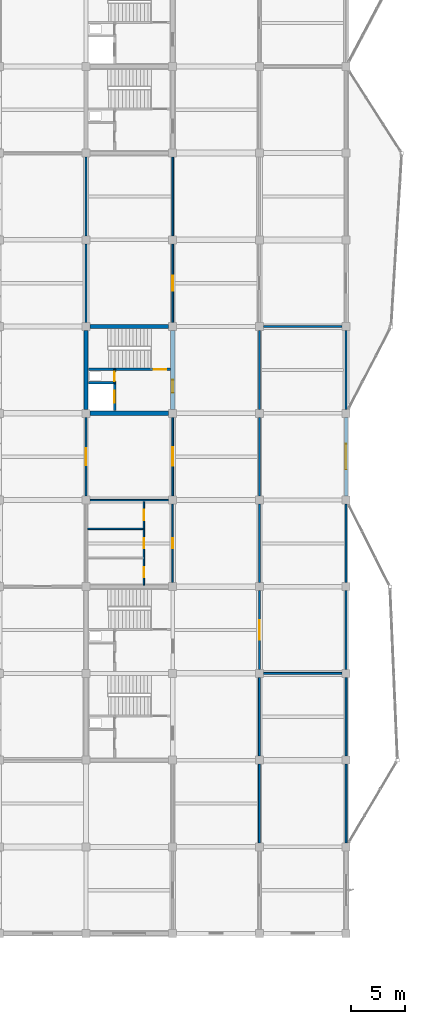
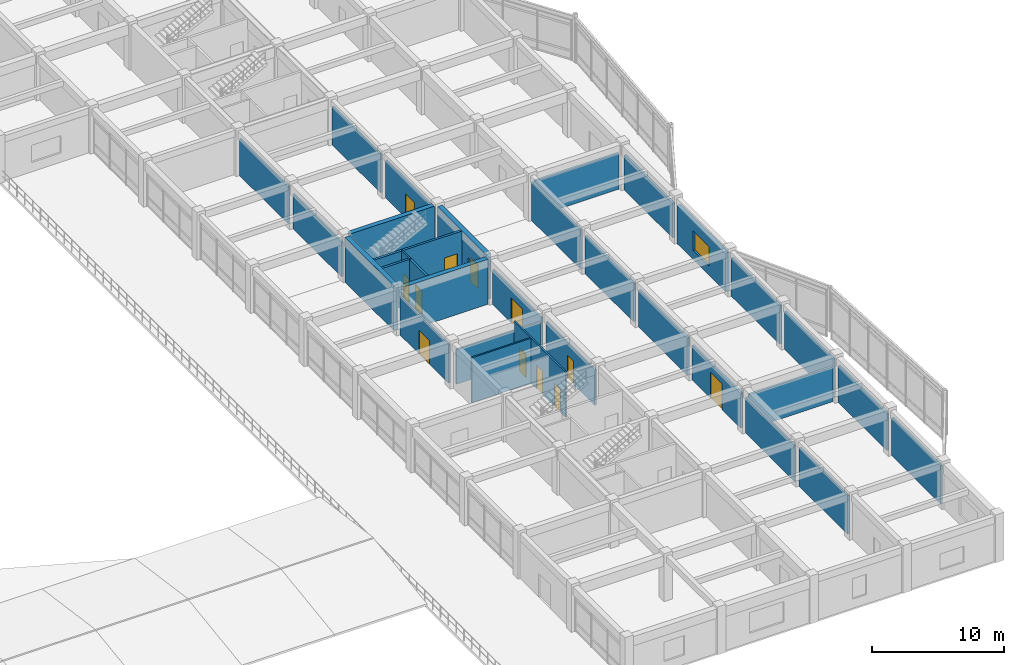
# One storey, part 52 of 70: 32 walls, 12 doors, 1 window, 13 openings.
"""IFC4 building model written with IfcOpenShell, lengths in metres."""

import ifcopenshell
import ifcopenshell.guid

model = None  # the IFC model being written
_history = None  # IfcOwnerHistory: only IFC2X3 demands one
_inside = {}  # id of a spatial element -> (the spatial element, [elements in it])
_under = {}  # id of a project, library or spatial element -> (it, [spatial elements below it])
_declared = {}  # id of a project -> (the project, [libraries it declares])
_typed = {}  # id of a type object -> (the type object, [elements of that type])
_made_of = {}  # id of a material, layer set ... -> (it, [elements and type objects made of it])


def new_model(schema):
    """Start an empty IFC model of exactly this schema.

    Asked for "IFC4X3", IfcOpenShell would pick the latest addendum, in which some entities
    have other attributes; the version numbers below select the first issue.
    IFC2X3 requires an IfcOwnerHistory on every rooted entity: one is made here for all.
    """
    global model, _history
    if schema == "IFC4X3":
        model = ifcopenshell.file(schema_version=(4, 3, 0, 0))
    else:
        model = ifcopenshell.file(schema=schema)
    _inside.clear()
    _under.clear()
    _declared.clear()
    _typed.clear()
    _made_of.clear()
    _history = None
    if model.schema == "IFC2X3":
        org = make("IfcOrganization", Name="unknown")
        user = make(
            "IfcPersonAndOrganization",
            ThePerson=make("IfcPerson", FamilyName="unknown"),
            TheOrganization=org,
        )
        app = make(
            "IfcApplication",
            ApplicationDeveloper=org,
            Version="unknown",
            ApplicationFullName="unknown",
            ApplicationIdentifier="unknown",
        )
        _history = make(
            "IfcOwnerHistory",
            OwningUser=user,
            OwningApplication=app,
            ChangeAction="ADDED",
            CreationDate=0,
        )
    return model


def make(cls, **values):
    """One entity of the class cls with the attributes given. An attribute that is None is left unset."""
    return model.create_entity(
        cls, **{name: value for name, value in values.items() if value is not None}
    )


def rooted(cls, **values):
    """An entity with a GlobalId (a new one), such as an element, a storey or a relation."""
    return make(cls, GlobalId=ifcopenshell.guid.new(), OwnerHistory=_history, **values)


def si_unit(unit_type, name, prefix=None):
    """IfcSIUnit, for example si_unit("LENGTHUNIT", "METRE", prefix="MILLI")."""
    return make("IfcSIUnit", UnitType=unit_type, Prefix=prefix, Name=name)


def assignment(units):
    """IfcUnitAssignment: the units of a project."""
    return None if units is None else make("IfcUnitAssignment", Units=units)


def point(xyz):
    """IfcCartesianPoint."""
    return None if xyz is None else make("IfcCartesianPoint", Coordinates=xyz)


def direction(xyz):
    """IfcDirection."""
    return None if xyz is None else make("IfcDirection", DirectionRatios=xyz)


def frame(location, z_axis=None, x_axis=None):
    """IfcAxis2Placement3D, a coordinate frame: its origin and axes. An axis left out is left unset."""
    return make(
        "IfcAxis2Placement3D",
        Location=point(location),
        Axis=direction(z_axis),
        RefDirection=direction(x_axis),
    )


def frame_2d(location, x_axis=None):
    """IfcAxis2Placement2D, a coordinate frame in the plane: its origin and x axis."""
    return make(
        "IfcAxis2Placement2D", Location=point(location), RefDirection=direction(x_axis)
    )


def origin():
    """The frame at (0, 0, 0) with its axes left unset."""
    return frame((0.0, 0.0, 0.0))


def place(relative_to, where):
    """IfcLocalPlacement: puts the frame where relative to a parent placement (None: the world)."""
    return make(
        "IfcLocalPlacement", PlacementRelTo=relative_to, RelativePlacement=where
    )


def context(
    kind, dimensions, precision=None, world=None, true_north=None, identifier=None
):
    """IfcGeometricRepresentationContext, for example the 3D "Model" context."""
    return make(
        "IfcGeometricRepresentationContext",
        ContextIdentifier=identifier,
        ContextType=kind,
        CoordinateSpaceDimension=dimensions,
        Precision=precision,
        WorldCoordinateSystem=world,
        TrueNorth=true_north,
    )


def subcontext(parent, identifier, kind, view, scale=None):
    """IfcGeometricRepresentationSubContext, for example "Body" below "Model"."""
    return make(
        "IfcGeometricRepresentationSubContext",
        ContextIdentifier=identifier,
        ContextType=kind,
        ParentContext=parent,
        TargetScale=scale,
        TargetView=view,
    )


def project(units=None, contexts=None):
    """IfcProject with its units and contexts."""
    return rooted(
        "IfcProject",
        Name="project",
        RepresentationContexts=contexts,
        UnitsInContext=assignment(units),
    )


def spatial(cls, under=None, at=None, **own):
    """A site, building, storey or space (cls), placed at a placement, below another one or the project."""
    s = rooted(cls, ObjectPlacement=at, **own)
    if under is not None:
        _under.setdefault(under.id(), (under, []))[1].append(s)
    return s


def profile(cls, at=None, kind="AREA", **sizes):
    """A parametric profile (cls). Its sizes go by their IFC names, for example OverallWidth=200.0."""
    return make(cls, ProfileType=kind, Position=at, **sizes)


def rectangle(**sizes):
    """IfcRectangleProfileDef."""
    return profile("IfcRectangleProfileDef", **sizes)


def extrude(swept, where, along, depth):
    """IfcExtrudedAreaSolid: the profile swept, set in the frame where, extruded along a direction by depth."""
    return make(
        "IfcExtrudedAreaSolid",
        SweptArea=swept,
        Position=where,
        ExtrudedDirection=direction(along),
        Depth=depth,
    )


def shape(context_of_items, identifier, shape_type, items):
    """IfcShapeRepresentation: the items that make up one representation, for example the "Body"."""
    return make(
        "IfcShapeRepresentation",
        ContextOfItems=context_of_items,
        RepresentationIdentifier=identifier,
        RepresentationType=shape_type,
        Items=items,
    )


def material(Name=None, Category=None):
    """IfcMaterial."""
    return make("IfcMaterial", Name=Name, Category=Category)


def layer(
    of_material, thickness, ventilated=None, Name=None, Category=None, Priority=None
):
    """IfcMaterialLayer: one layer of a wall or slab, of a material (None: an air gap)."""
    return make(
        "IfcMaterialLayer",
        Material=of_material,
        LayerThickness=thickness,
        IsVentilated=ventilated,
        Name=Name,
        Category=Category,
        Priority=Priority,
    )


def layer_set(layers, Name=None):
    """IfcMaterialLayerSet."""
    return make("IfcMaterialLayerSet", MaterialLayers=layers, LayerSetName=Name)


def made_of(thing, what):
    """Note that an element or type object is made of a material, layer set ...; save() writes the relation."""
    if what is not None:
        _made_of.setdefault(what.id(), (what, []))[1].append(thing)
    return thing


def type_object(cls, material=None, **own):
    """A type object (cls), such as IfcWallType, which elements share."""
    return made_of(rooted(cls, **own), material)


def element(
    cls,
    number,
    at=None,
    inside=None,
    cuts=None,
    type_object=None,
    material=None,
    context=None,
    identifier="Body",
    shape_type=None,
    held_by="IfcProductDefinitionShape",
    body=None,
    shapes=None,
    **own,
):
    """One element of the class cls, such as IfcWall. Its Tag is "e" and its number.

    at: its placement. inside: the storey or other place that contains it. cuts: it is an
    opening in that element (IfcRelVoidsElement). A single representation is given by context,
    identifier, shape_type and body (its items); several are given by shapes. held_by: the class
    of the entity that holds the representations. save() writes the other relations.
    """
    e = rooted(cls, Tag="e%d" % number, ObjectPlacement=at, **own)
    if body is not None:
        shapes = [shape(context, identifier, shape_type, body)]
    if shapes is not None:
        e.Representation = make(held_by, Representations=shapes)
    if inside is not None:
        _inside.setdefault(inside.id(), (inside, []))[1].append(e)
    if cuts is not None:
        rooted(
            "IfcRelVoidsElement", RelatingBuildingElement=cuts, RelatedOpeningElement=e
        )
    if type_object is not None:
        _typed.setdefault(type_object.id(), (type_object, []))[1].append(e)
    return made_of(e, material)


def fill(opening, filler):
    """IfcRelFillsElement: the door or window that sits in an opening."""
    return rooted(
        "IfcRelFillsElement",
        RelatingOpeningElement=opening,
        RelatedBuildingElement=filler,
    )


def aggregate(whole, parts):
    """IfcRelAggregates: a whole, such as a stair, and the parts it consists of."""
    return rooted("IfcRelAggregates", RelatingObject=whole, RelatedObjects=parts)


def save(model, path):
    """Write the relations noted so far, then the file.

    IfcRelAggregates (storeys below a building ...), IfcRelContainedInSpatialStructure (elements
    in a storey), IfcRelDefinesByType, IfcRelAssociatesMaterial and IfcRelDeclares: one each for
    every whole, place, type object, material and project.
    """
    for whole, parts in _under.values():
        aggregate(whole, parts)
    for where, things in _inside.values():
        rooted(
            "IfcRelContainedInSpatialStructure",
            RelatedElements=things,
            RelatingStructure=where,
        )
    for kind, things in _typed.values():
        rooted("IfcRelDefinesByType", RelatedObjects=things, RelatingType=kind)
    for what, things in _made_of.values():
        rooted("IfcRelAssociatesMaterial", RelatedObjects=things, RelatingMaterial=what)
    for by, libraries in _declared.values():
        rooted("IfcRelDeclares", RelatingContext=by, RelatedDefinitions=libraries)
    model.write(path)


model = new_model("IFC4")

# Units and contexts
model_context = context("Model", 3, precision=1e-05, world=origin(), true_north=direction((0.0, 1.0)))
body_context = subcontext(model_context, "Body", "Model", "MODEL_VIEW")
ifc_project = project(units=[si_unit("LENGTHUNIT", "METRE"), si_unit("AREAUNIT", "SQUARE_METRE"), si_unit("VOLUMEUNIT", "CUBIC_METRE"), si_unit("PLANEANGLEUNIT", "RADIAN"), si_unit("MASSUNIT", "GRAM", prefix="KILO")], contexts=[model_context])

# Site, building, storey
site_placement = place(None, origin())
site = spatial("IfcSite", under=ifc_project, at=site_placement, CompositionType="ELEMENT")
building_placement = place(site_placement, origin())
building = spatial("IfcBuilding", under=site, at=building_placement, Name="Vaudrelin Polytechnic", CompositionType="ELEMENT")
storey_placement = place(building_placement, frame((0.0, 0.0, 14.110107421875)))
storey = spatial("IfcBuildingStorey", under=building, at=storey_placement, Name="L03", CompositionType="ELEMENT", Elevation=14.110107421875)

# Wall, opening, window
ifc_material_1 = material(Name="Precast concrete 35 MPa with terracotta baguette screen", Category="masonry")
ifc_layer_1 = layer(ifc_material_1, 0.35009765625)
ifc_layer_set_1 = layer_set([ifc_layer_1], Name="Precast concrete 35 MPa with terracotta baguette screen")
wall_type_1 = type_object("IfcWallType", Name="WAL-EW-TERR350", PredefinedType="STANDARD", material=ifc_layer_set_1)
wall_1_placement = place(storey_placement, frame((170.10009765625, 57.072998046875, 0.0), z_axis=(0.0, 0.0, 1.0), x_axis=(0.0, 1.0, 0.0)))
wall_1 = element("IfcWall", 1, at=wall_1_placement, inside=storey, type_object=wall_type_1, Name="Exterior wall L03 E_V4_05", PredefinedType="STANDARD", context=body_context, shape_type="SweptSolid", body=[
    extrude(rectangle(XDim=7.35400390625, YDim=0.35009765625, at=frame_2d((3.677001953125, 0.0))), origin(), (0.0, 0.0, 1.0), 3.511962890625),
])
opening_1_placement = place(wall_1_placement, frame((2.47705078125, 0.0, 0.85009765625)))
opening_1 = element("IfcOpeningElement", 2, at=opening_1_placement, cuts=wall_1, Name="Opening W-L03-E-V4-06", PredefinedType="OPENING", context=body_context, shape_type="SweptSolid", body=[
    extrude(rectangle(XDim=2.39990234375, YDim=1.800048828125, at=frame_2d((1.199951171875, 0.89990234375))), frame((0.0, 0.18505859375, 0.0), z_axis=(0.0, -1.0, 0.0), x_axis=(1.0, 0.0, 0.0)), (0.0, 0.0, 1.0), 0.3701171875),
])
ifc_material_2 = material(Name="Thermally broken aluminium frame with triple low-e glazing", Category="aluminium")
window_type = type_object("IfcWindowType", Name="WIN-WN-01", PartitioningType="SINGLE_PANEL", PredefinedType="WINDOW", material=ifc_material_2)
window_placement = place(opening_1_placement, origin())
window = element("IfcWindow", 3, at=window_placement, inside=storey, type_object=window_type, Name="Facade window L03-E_V4_05", OverallHeight=1.800048828125, OverallWidth=2.39990234375, PartitioningType="SINGLE_PANEL", PredefinedType="WINDOW", context=body_context, shape_type="SweptSolid", body=[
    extrude(rectangle(XDim=2.39990234375, YDim=1.800048828125, at=frame_2d((1.199951171875, 0.89990234375))), frame((0.0, 0.030029296875, 0.0), z_axis=(0.0, -1.0, 0.0), x_axis=(1.0, 0.0, 0.0)), (0.0, 0.0, 1.0), 0.06005859375),
])
fill(opening_1, window)

# Walls
ifc_material_3 = material(Name="Acoustic double-stud gypsum & mineral-wool partition", Category="gypsum")
ifc_layer_2 = layer(ifc_material_3, 0.179931640625)
ifc_layer_set_2 = layer_set([ifc_layer_2], Name="Acoustic double-stud gypsum & mineral-wool partition")
wall_type_2 = type_object("IfcWallType", Name="WAL-PW-AC180", PredefinedType="PARTITIONING", material=ifc_layer_set_2)
wall_2_placement = place(storey_placement, frame((162.0, 24.673095703125, 0.0), z_axis=(0.0, 0.0, 1.0), x_axis=(0.0, 1.0, 0.0)))
element("IfcWall", 4, at=wall_2_placement, inside=storey, type_object=wall_type_2, Name="Partition L03-015 W", PredefinedType="PARTITIONING", context=body_context, shape_type="SweptSolid", body=[
    extrude(rectangle(XDim=7.35400390625, YDim=0.179931640625, at=frame_2d((3.677001953125, 0.0))), origin(), (0.0, 0.0, 1.0), 3.56201171875),
])
wall_3_placement = place(storey_placement, frame((162.0, 32.77294921875, 0.0), z_axis=(0.0, 0.0, 1.0), x_axis=(0.0, 1.0, 0.0)))
element("IfcWall", 5, at=wall_3_placement, inside=storey, type_object=wall_type_2, Name="Partition L03-015 W", PredefinedType="PARTITIONING", context=body_context, shape_type="SweptSolid", body=[
    extrude(rectangle(XDim=7.35400390625, YDim=0.179931640625, at=frame_2d((3.677001953125, 0.0))), origin(), (0.0, 0.0, 1.0), 3.31201171875),
])
wall_4_placement = place(storey_placement, frame((162.373046875, 40.5, 0.0), z_axis=(0.0, 0.0, 1.0), x_axis=(1.0, 0.0, 0.0)))
element("IfcWall", 6, at=wall_4_placement, inside=storey, type_object=wall_type_2, Name="Partition L03-015 N", PredefinedType="PARTITIONING", context=body_context, shape_type="SweptSolid", body=[
    extrude(rectangle(XDim=7.35400390625, YDim=0.179931640625, at=frame_2d((3.677001953125, 0.0))), origin(), (0.0, 0.0, 1.0), 3.2119140625),
])
wall_5_placement = place(storey_placement, frame((170.10009765625, 24.673095703125, 0.0), z_axis=(0.0, 0.0, 1.0), x_axis=(0.0, 1.0, 0.0)))
element("IfcWall", 7, at=wall_5_placement, inside=storey, type_object=wall_type_2, Name="Partition L03-015 E", PredefinedType="PARTITIONING", context=body_context, shape_type="SweptSolid", body=[
    extrude(rectangle(XDim=7.35400390625, YDim=0.179931640625, at=frame_2d((3.677001953125, 0.0))), origin(), (0.0, 0.0, 1.0), 3.511962890625),
])
wall_6_placement = place(storey_placement, frame((170.10009765625, 32.77294921875, 0.0), z_axis=(0.0, 0.0, 1.0), x_axis=(0.0, 1.0, 0.0)))
element("IfcWall", 8, at=wall_6_placement, inside=storey, type_object=wall_type_2, Name="Partition L03-015 E", PredefinedType="PARTITIONING", context=body_context, shape_type="SweptSolid", body=[
    extrude(rectangle(XDim=7.35400390625, YDim=0.179931640625, at=frame_2d((3.677001953125, 0.0))), origin(), (0.0, 0.0, 1.0), 3.411865234375),
])

# Wall, opening, door
ifc_material_4 = material(Name="Concrete masonry unit 20 MPa shaft & corridor fire wall", Category="masonry")
ifc_layer_3 = layer(ifc_material_4, 0.199951171875)
ifc_layer_set_3 = layer_set([ifc_layer_3], Name="Concrete masonry unit 20 MPa shaft & corridor fire wall")
wall_type_3 = type_object("IfcWallType", Name="WAL-PW-FIRE120", PredefinedType="PARTITIONING", material=ifc_layer_set_3)
wall_7_placement = place(storey_placement, frame((162.0, 40.873046875, 0.0), z_axis=(0.0, 0.0, 1.0), x_axis=(0.0, 1.0, 0.0)))
wall_7 = element("IfcWall", 9, at=wall_7_placement, inside=storey, type_object=wall_type_3, Name="Partition L03-016 W", PredefinedType="PARTITIONING", context=body_context, shape_type="SweptSolid", body=[
    extrude(rectangle(XDim=7.35400390625, YDim=0.199951171875, at=frame_2d((3.677001953125, 0.0))), origin(), (0.0, 0.0, 1.0), 3.2119140625),
])
opening_2_placement = place(wall_7_placement, frame((2.777099609375, 0.0, 0.0)))
opening_2 = element("IfcOpeningElement", 10, at=opening_2_placement, cuts=wall_7, Name="Opening D-L03-508", PredefinedType="OPENING", context=body_context, shape_type="SweptSolid", body=[
    extrude(rectangle(XDim=1.800048828125, YDim=2.39990234375, at=frame_2d((0.89990234375, 1.199951171875))), frame((0.0, 0.10986328125, 0.0), z_axis=(0.0, -1.0, 0.0), x_axis=(1.0, 0.0, 0.0)), (0.0, 0.0, 1.0), 0.219970703125),
])
ifc_material_5 = material(Name="Pressed galvanised steel acoustic leaf", Category="steel")
door_type_1 = type_object("IfcDoorType", Name="DOR-ID-WK1", OperationType="NOTDEFINED", PredefinedType="DOOR", material=ifc_material_5)
door_1_placement = place(opening_2_placement, origin())
door_1 = element("IfcDoor", 11, at=door_1_placement, inside=storey, type_object=door_type_1, Name="PCB Prototyping Workshop door L03-016", OperationType="DOUBLE_SWING_LEFT", OverallHeight=2.39990234375, OverallWidth=1.800048828125, PredefinedType="DOOR", context=body_context, shape_type="SweptSolid", body=[
    extrude(rectangle(XDim=1.800048828125, YDim=2.39990234375, at=frame_2d((0.89990234375, 1.199951171875))), frame((0.0, 0.02490234375, 0.0), z_axis=(0.0, -1.0, 0.0), x_axis=(1.0, 0.0, 0.0)), (0.0, 0.0, 1.0), 0.050048828125),
])
fill(opening_2, door_1)

# Walls
wall_8_placement = place(storey_placement, frame((162.0, 48.972900390625, 0.0), z_axis=(0.0, 0.0, 1.0), x_axis=(0.0, 1.0, 0.0)))
element("IfcWall", 12, at=wall_8_placement, inside=storey, type_object=wall_type_3, Name="Partition L03-016 W", PredefinedType="PARTITIONING", context=body_context, shape_type="SweptSolid", body=[
    extrude(rectangle(XDim=7.35400390625, YDim=0.199951171875, at=frame_2d((3.677001953125, 0.0))), origin(), (0.0, 0.0, 1.0), 3.411865234375),
])
wall_9_placement = place(storey_placement, frame((162.0, 57.072998046875, 0.0), z_axis=(0.0, 0.0, 1.0), x_axis=(0.0, 1.0, 0.0)))
element("IfcWall", 13, at=wall_9_placement, inside=storey, type_object=wall_type_3, Name="Partition L03-016 W", PredefinedType="PARTITIONING", context=body_context, shape_type="SweptSolid", body=[
    extrude(rectangle(XDim=7.35400390625, YDim=0.199951171875, at=frame_2d((3.677001953125, 0.0))), origin(), (0.0, 0.0, 1.0), 3.511962890625),
])
wall_10_placement = place(storey_placement, frame((162.0, 65.173095703125, 0.0), z_axis=(0.0, 0.0, 1.0), x_axis=(0.0, 1.0, 0.0)))
element("IfcWall", 14, at=wall_10_placement, inside=storey, type_object=wall_type_3, Name="Partition L03-016 W", PredefinedType="PARTITIONING", context=body_context, shape_type="SweptSolid", body=[
    extrude(rectangle(XDim=7.35400390625, YDim=0.199951171875, at=frame_2d((3.677001953125, 0.0))), origin(), (0.0, 0.0, 1.0), 3.56201171875),
])
wall_11_placement = place(storey_placement, frame((162.373046875, 72.89990234375, 0.0), z_axis=(0.0, 0.0, 1.0), x_axis=(1.0, 0.0, 0.0)))
element("IfcWall", 15, at=wall_11_placement, inside=storey, type_object=wall_type_3, Name="Partition L03-016 N", PredefinedType="PARTITIONING", context=body_context, shape_type="SweptSolid", body=[
    extrude(rectangle(XDim=7.35400390625, YDim=0.199951171875, at=frame_2d((3.677001953125, 0.0))), origin(), (0.0, 0.0, 1.0), 3.31201171875),
])
wall_12_placement = place(storey_placement, frame((170.10009765625, 40.873046875, 0.0), z_axis=(0.0, 0.0, 1.0), x_axis=(0.0, 1.0, 0.0)))
element("IfcWall", 16, at=wall_12_placement, inside=storey, type_object=wall_type_3, Name="Partition L03-016 E", PredefinedType="PARTITIONING", context=body_context, shape_type="SweptSolid", body=[
    extrude(rectangle(XDim=7.35400390625, YDim=0.199951171875, at=frame_2d((3.677001953125, 0.0))), origin(), (0.0, 0.0, 1.0), 3.511962890625),
])
wall_13_placement = place(storey_placement, frame((170.10009765625, 48.972900390625, 0.0), z_axis=(0.0, 0.0, 1.0), x_axis=(0.0, 1.0, 0.0)))
element("IfcWall", 17, at=wall_13_placement, inside=storey, type_object=wall_type_3, Name="Partition L03-016 E", PredefinedType="PARTITIONING", context=body_context, shape_type="SweptSolid", body=[
    extrude(rectangle(XDim=7.35400390625, YDim=0.199951171875, at=frame_2d((3.677001953125, 0.0))), origin(), (0.0, 0.0, 1.0), 3.56201171875),
])
wall_14_placement = place(storey_placement, frame((170.10009765625, 65.173095703125, 0.0), z_axis=(0.0, 0.0, 1.0), x_axis=(0.0, 1.0, 0.0)))
element("IfcWall", 18, at=wall_14_placement, inside=storey, type_object=wall_type_3, Name="Partition L03-016 E", PredefinedType="PARTITIONING", context=body_context, shape_type="SweptSolid", body=[
    extrude(rectangle(XDim=7.35400390625, YDim=0.199951171875, at=frame_2d((3.677001953125, 0.0))), origin(), (0.0, 0.0, 1.0), 3.2119140625),
])

# Wall, opening, door
ifc_material_6 = material(Name="Fire-rated steel-stud gypsum compartment wall", Category="steel")
ifc_layer_4 = layer(ifc_material_6, 0.14990234375)
ifc_layer_set_4 = layer_set([ifc_layer_4], Name="Fire-rated steel-stud gypsum compartment wall")
wall_type_4 = type_object("IfcWallType", Name="WAL-PW-FIRE60", PredefinedType="PARTITIONING", material=ifc_layer_set_4)
wall_15_placement = place(storey_placement, frame((148.47998046875, 67.64990234375, 0.0), z_axis=(0.0, 0.0, 1.0), x_axis=(0.0, 1.0, 0.0)))
wall_15 = element("IfcWall", 19, at=wall_15_placement, inside=storey, type_object=wall_type_4, Name="Core C7 riser enclosure wall L03", PredefinedType="PARTITIONING", context=body_context, shape_type="SweptSolid", body=[
    extrude(rectangle(XDim=1.260009765625, YDim=0.14990234375, at=frame_2d((0.6298828125, 0.0))), origin(), (0.0, 0.0, 1.0), 4.161865234375),
])
opening_3_placement = place(wall_15_placement, frame((0.139892578125, 0.0, 0.0)))
opening_3 = element("IfcOpeningElement", 20, at=opening_3_placement, cuts=wall_15, Name="Opening D-L03-125", PredefinedType="OPENING", context=body_context, shape_type="SweptSolid", body=[
    extrude(rectangle(XDim=0.89990234375, YDim=2.14990234375, at=frame_2d((0.449951171875, 1.074951171875))), frame((0.0, 0.0849609375, 0.0), z_axis=(0.0, -1.0, 0.0), x_axis=(1.0, 0.0, 0.0)), (0.0, 0.0, 1.0), 0.169921875),
])
door_type_2 = type_object("IfcDoorType", Name="DOR-ID-RSR1", OperationType="NOTDEFINED", PredefinedType="DOOR", material=ifc_material_5)
door_2_placement = place(opening_3_placement, origin())
door_2 = element("IfcDoor", 21, at=door_2_placement, inside=storey, type_object=door_type_2, Name="Core C7 riser access door L03", OperationType="SINGLE_SWING_RIGHT", OverallHeight=2.14990234375, OverallWidth=0.89990234375, PredefinedType="DOOR", context=body_context, shape_type="SweptSolid", body=[
    extrude(rectangle(XDim=0.89990234375, YDim=2.14990234375, at=frame_2d((0.449951171875, 1.074951171875))), frame((0.0, 0.02490234375, 0.0), z_axis=(0.0, -1.0, 0.0), x_axis=(1.0, 0.0, 0.0)), (0.0, 0.0, 1.0), 0.050048828125),
])
fill(opening_3, door_2)

ifc_material_7 = material(Name="Moisture- and chemical-resistant laboratory partition", Category="gypsum")
ifc_layer_5 = layer(ifc_material_7, 0.159912109375)
ifc_layer_set_5 = layer_set([ifc_layer_5], Name="Moisture- and chemical-resistant laboratory partition")
wall_type_5 = type_object("IfcWallType", Name="WAL-PW-LAB160", PredefinedType="PARTITIONING", material=ifc_layer_set_5)
wall_16_placement = place(storey_placement, frame((145.800048828125, 57.072998046875, 0.0), z_axis=(0.0, 0.0, 1.0), x_axis=(0.0, 1.0, 0.0)))
wall_16 = element("IfcWall", 22, at=wall_16_placement, inside=storey, type_object=wall_type_5, Name="Partition L03-010 E", PredefinedType="PARTITIONING", context=body_context, shape_type="SweptSolid", body=[
    extrude(rectangle(XDim=7.35400390625, YDim=0.159912109375, at=frame_2d((3.677001953125, 0.0))), origin(), (0.0, 0.0, 1.0), 3.56201171875),
])
opening_4_placement = place(wall_16_placement, frame((2.886962890625, 0.0, 0.0)))
opening_4 = element("IfcOpeningElement", 23, at=opening_4_placement, cuts=wall_16, Name="Opening D-L03-503", PredefinedType="OPENING", context=body_context, shape_type="SweptSolid", body=[
    extrude(rectangle(XDim=1.580078125, YDim=2.199951171875, at=frame_2d((0.7900390625, 1.10009765625))), frame((0.0, 0.08984375, 0.0), z_axis=(0.0, -1.0, 0.0), x_axis=(1.0, 0.0, 0.0)), (0.0, 0.0, 1.0), 0.179931640625),
])
door_type_3 = type_object("IfcDoorType", Name="DOR-ID-LAB3", OperationType="NOTDEFINED", PredefinedType="DOOR", material=ifc_material_5)
door_3_placement = place(opening_4_placement, origin())
door_3 = element("IfcDoor", 24, at=door_3_placement, inside=storey, type_object=door_type_3, Name="Embedded Systems and Avionics Laboratory door L03-010", OperationType="DOUBLE_SWING_LEFT", OverallHeight=2.199951171875, OverallWidth=1.580078125, PredefinedType="DOOR", context=body_context, shape_type="SweptSolid", body=[
    extrude(rectangle(XDim=1.580078125, YDim=2.199951171875, at=frame_2d((0.7900390625, 1.10009765625))), frame((0.0, 0.02490234375, 0.0), z_axis=(0.0, -1.0, 0.0), x_axis=(1.0, 0.0, 0.0)), (0.0, 0.0, 1.0), 0.050048828125),
])
fill(opening_4, door_3)

# Walls
wall_17_placement = place(storey_placement, frame((145.800048828125, 73.27294921875, 0.0), z_axis=(0.0, 0.0, 1.0), x_axis=(0.0, 1.0, 0.0)))
element("IfcWall", 25, at=wall_17_placement, inside=storey, type_object=wall_type_5, Name="Partition L03-010 E", PredefinedType="PARTITIONING", context=body_context, shape_type="SweptSolid", body=[
    extrude(rectangle(XDim=7.35400390625, YDim=0.159912109375, at=frame_2d((3.677001953125, 0.0))), origin(), (0.0, 0.0, 1.0), 3.2119140625),
])
wall_18_placement = place(storey_placement, frame((145.800048828125, 81.373046875, 0.0), z_axis=(0.0, 0.0, 1.0), x_axis=(0.0, 1.0, 0.0)))
element("IfcWall", 26, at=wall_18_placement, inside=storey, type_object=wall_type_5, Name="Partition L03-010 E", PredefinedType="PARTITIONING", context=body_context, shape_type="SweptSolid", body=[
    extrude(rectangle(XDim=7.35400390625, YDim=0.159912109375, at=frame_2d((3.677001953125, 0.0))), origin(), (0.0, 0.0, 1.0), 3.411865234375),
])

# Wall, opening, door
wall_19_placement = place(storey_placement, frame((153.89990234375, 57.072998046875, 0.0), z_axis=(0.0, 0.0, 1.0), x_axis=(0.0, 1.0, 0.0)))
wall_19 = element("IfcWall", 27, at=wall_19_placement, inside=storey, type_object=wall_type_5, Name="Partition L03-024 E", PredefinedType="PARTITIONING", context=body_context, shape_type="SweptSolid", body=[
    extrude(rectangle(XDim=7.35400390625, YDim=0.159912109375, at=frame_2d((3.677001953125, 0.0))), origin(), (0.0, 0.0, 1.0), 3.2119140625),
])
opening_5_placement = place(wall_19_placement, frame((2.81689453125, 0.0, 0.0)))
opening_5 = element("IfcOpeningElement", 28, at=opening_5_placement, cuts=wall_19, Name="Opening D-L03-516", PredefinedType="OPENING", context=body_context, shape_type="SweptSolid", body=[
    extrude(rectangle(XDim=1.719970703125, YDim=2.300048828125, at=frame_2d((0.85986328125, 1.14990234375))), frame((0.0, 0.08984375, 0.0), z_axis=(0.0, -1.0, 0.0), x_axis=(1.0, 0.0, 0.0)), (0.0, 0.0, 1.0), 0.179931640625),
])
door_type_4 = type_object("IfcDoorType", Name="DOR-ID-LAB5", OperationType="NOTDEFINED", PredefinedType="DOOR", material=ifc_material_5)
door_4_placement = place(opening_5_placement, origin())
door_4 = element("IfcDoor", 29, at=door_4_placement, inside=storey, type_object=door_type_4, Name="Avionics Sensor Calibration Room door L03-024", OperationType="DOUBLE_SWING_LEFT", OverallHeight=2.300048828125, OverallWidth=1.719970703125, PredefinedType="DOOR", context=body_context, shape_type="SweptSolid", body=[
    extrude(rectangle(XDim=1.719970703125, YDim=2.300048828125, at=frame_2d((0.85986328125, 1.14990234375))), frame((0.0, 0.02490234375, 0.0), z_axis=(0.0, -1.0, 0.0), x_axis=(1.0, 0.0, 0.0)), (0.0, 0.0, 1.0), 0.050048828125),
])
fill(opening_5, door_4)

ifc_material_8 = material(Name="Pin-up plywood & acoustic gypsum studio partition", Category="wood")
ifc_layer_6 = layer(ifc_material_8, 0.14990234375)
ifc_layer_set_6 = layer_set([ifc_layer_6], Name="Pin-up plywood & acoustic gypsum studio partition")
wall_type_6 = type_object("IfcWallType", Name="WAL-PW-STU150", PredefinedType="PARTITIONING", material=ifc_layer_set_6)
wall_20_placement = place(storey_placement, frame((153.89990234375, 73.27294921875, 0.0), z_axis=(0.0, 0.0, 1.0), x_axis=(0.0, 1.0, 0.0)))
wall_20 = element("IfcWall", 30, at=wall_20_placement, inside=storey, type_object=wall_type_6, Name="Partition L03-011 E", PredefinedType="PARTITIONING", context=body_context, shape_type="SweptSolid", body=[
    extrude(rectangle(XDim=7.35400390625, YDim=0.14990234375, at=frame_2d((3.677001953125, 0.0))), origin(), (0.0, 0.0, 1.0), 3.511962890625),
])
opening_6_placement = place(wall_20_placement, frame((2.97705078125, 0.0, 0.0)))
opening_6 = element("IfcOpeningElement", 31, at=opening_6_placement, cuts=wall_20, Name="Opening D-L03-504", PredefinedType="OPENING", context=body_context, shape_type="SweptSolid", body=[
    extrude(rectangle(XDim=1.39990234375, YDim=2.199951171875, at=frame_2d((0.699951171875, 1.10009765625))), frame((0.0, 0.0849609375, 0.0), z_axis=(0.0, -1.0, 0.0), x_axis=(1.0, 0.0, 0.0)), (0.0, 0.0, 1.0), 0.169921875),
])
ifc_material_9 = material(Name="Solid-core birch veneer acoustic leaf", Category="wood")
door_type_5 = type_object("IfcDoorType", Name="DOR-ID-STU1", OperationType="NOTDEFINED", PredefinedType="DOOR", material=ifc_material_9)
door_5_placement = place(opening_6_placement, origin())
door_5 = element("IfcDoor", 32, at=door_5_placement, inside=storey, type_object=door_type_5, Name="Flight Simulation Avionics Studio door L03-011", OperationType="DOUBLE_SWING_LEFT", OverallHeight=2.199951171875, OverallWidth=1.39990234375, PredefinedType="DOOR", context=body_context, shape_type="SweptSolid", body=[
    extrude(rectangle(XDim=1.39990234375, YDim=2.199951171875, at=frame_2d((0.699951171875, 1.10009765625))), frame((0.0, 0.02490234375, 0.0), z_axis=(0.0, -1.0, 0.0), x_axis=(1.0, 0.0, 0.0)), (0.0, 0.0, 1.0), 0.050048828125),
])
fill(opening_6, door_5)

# Walls
wall_21_placement = place(storey_placement, frame((153.89990234375, 81.373046875, 0.0), z_axis=(0.0, 0.0, 1.0), x_axis=(0.0, 1.0, 0.0)))
element("IfcWall", 33, at=wall_21_placement, inside=storey, type_object=wall_type_6, Name="Partition L03-011 E", PredefinedType="PARTITIONING", context=body_context, shape_type="SweptSolid", body=[
    extrude(rectangle(XDim=7.35400390625, YDim=0.14990234375, at=frame_2d((3.677001953125, 0.0))), origin(), (0.0, 0.0, 1.0), 3.56201171875),
])
ifc_material_10 = material(Name="Cement-board tiled wet-wall washroom partition", Category="gypsum")
ifc_layer_7 = layer(ifc_material_10, 0.139892578125)
ifc_layer_set_7 = layer_set([ifc_layer_7], Name="Cement-board tiled wet-wall washroom partition")
wall_type_7 = type_object("IfcWallType", Name="WAL-PW-WC140", PredefinedType="PARTITIONING", material=ifc_layer_set_7)
wall_22_placement = place(storey_placement, frame((146.173095703125, 56.699951171875, 0.0), z_axis=(0.0, 0.0, 1.0), x_axis=(1.0, 0.0, 0.0)))
element("IfcWall", 34, at=wall_22_placement, inside=storey, type_object=wall_type_7, Name="Washroom enclosure wall L03-18-6-N", PredefinedType="PARTITIONING", context=body_context, shape_type="SweptSolid", body=[
    extrude(rectangle(XDim=7.35400390625, YDim=0.139892578125, at=frame_2d((3.677001953125, 0.0))), origin(), (0.0, 0.0, 1.0), 3.2099609375),
])

# Wall, opening, door
wall_23_placement = place(storey_placement, frame((153.89990234375, 48.972900390625, 0.0), z_axis=(0.0, 0.0, 1.0), x_axis=(0.0, 1.0, 0.0)))
wall_23 = element("IfcWall", 35, at=wall_23_placement, inside=storey, type_object=wall_type_7, Name="Washroom enclosure wall L03-18-6-E", PredefinedType="PARTITIONING", context=body_context, shape_type="SweptSolid", body=[
    extrude(rectangle(XDim=7.35400390625, YDim=0.139892578125, at=frame_2d((3.677001953125, 0.0))), origin(), (0.0, 0.0, 1.0), 3.309814453125),
])
opening_7_placement = place(wall_23_placement, frame((3.217041015625, 0.0, 0.0)))
opening_7 = element("IfcOpeningElement", 36, at=opening_7_placement, cuts=wall_23, Name="Opening D-L03-365", PredefinedType="OPENING", context=body_context, shape_type="SweptSolid", body=[
    extrude(rectangle(XDim=0.919921875, YDim=2.14990234375, at=frame_2d((0.4599609375, 1.074951171875))), frame((0.0, 0.080078125, 0.0), z_axis=(0.0, -1.0, 0.0), x_axis=(1.0, 0.0, 0.0)), (0.0, 0.0, 1.0), 0.159912109375),
])
door_type_6 = type_object("IfcDoorType", Name="DOR-ID-WC1", OperationType="NOTDEFINED", PredefinedType="DOOR", material=ifc_material_9)
door_6_placement = place(opening_7_placement, origin())
door_6 = element("IfcDoor", 37, at=door_6_placement, inside=storey, type_object=door_type_6, Name="Washroom vestibule door L03-18-6-E", OperationType="SINGLE_SWING_LEFT", OverallHeight=2.14990234375, OverallWidth=0.919921875, PredefinedType="DOOR", context=body_context, shape_type="SweptSolid", body=[
    extrude(rectangle(XDim=0.919921875, YDim=2.14990234375, at=frame_2d((0.4599609375, 1.074951171875))), frame((0.0, 0.02490234375, 0.0), z_axis=(0.0, -1.0, 0.0), x_axis=(1.0, 0.0, 0.0)), (0.0, 0.0, 1.0), 0.050048828125),
])
fill(opening_7, door_6)

# Wall, openings, doors
wall_24_placement = place(storey_placement, frame((151.199951171875, 48.75, 0.0), z_axis=(0.0, 0.0, 1.0), x_axis=(0.0, 1.0, 0.0)))
wall_24 = element("IfcWall", 38, at=wall_24_placement, inside=storey, type_object=wall_type_7, Name="Washroom vestibule divider L03-18-6", PredefinedType="PARTITIONING", context=body_context, shape_type="SweptSolid", body=[
    extrude(rectangle(XDim=7.800048828125, YDim=0.139892578125, at=frame_2d((3.89990234375, 0.0))), origin(), (0.0, 0.0, 1.0), 4.161865234375),
])
opening_8_placement = place(wall_24_placement, frame((0.75, 0.0, 0.0)))
opening_8 = element("IfcOpeningElement", 39, at=opening_8_placement, cuts=wall_24, Name="Opening D-L03-366", PredefinedType="OPENING", context=body_context, shape_type="SweptSolid", body=[
    extrude(rectangle(XDim=0.919921875, YDim=2.14990234375, at=frame_2d((0.4599609375, 1.074951171875))), frame((0.0, 0.080078125, 0.0), z_axis=(0.0, -1.0, 0.0), x_axis=(1.0, 0.0, 0.0)), (0.0, 0.0, 1.0), 0.159912109375),
])
opening_9_placement = place(wall_24_placement, frame((3.43994140625, 0.0, 0.0)))
opening_9 = element("IfcOpeningElement", 40, at=opening_9_placement, cuts=wall_24, Name="Opening D-L03-367", PredefinedType="OPENING", context=body_context, shape_type="SweptSolid", body=[
    extrude(rectangle(XDim=0.919921875, YDim=2.14990234375, at=frame_2d((0.4599609375, 1.074951171875))), frame((0.0, 0.080078125, 0.0), z_axis=(0.0, -1.0, 0.0), x_axis=(1.0, 0.0, 0.0)), (0.0, 0.0, 1.0), 0.159912109375),
])
opening_10_placement = place(wall_24_placement, frame((6.050048828125, 0.0, 0.0)))
opening_10 = element("IfcOpeningElement", 41, at=opening_10_placement, cuts=wall_24, Name="Opening D-L03-368", PredefinedType="OPENING", context=body_context, shape_type="SweptSolid", body=[
    extrude(rectangle(XDim=1.0, YDim=2.14990234375, at=frame_2d((0.5, 1.074951171875))), frame((0.0, 0.080078125, 0.0), z_axis=(0.0, -1.0, 0.0), x_axis=(1.0, 0.0, 0.0)), (0.0, 0.0, 1.0), 0.159912109375),
])
door_type_7 = type_object("IfcDoorType", Name="DOR-ID-AWC1", OperationType="NOTDEFINED", PredefinedType="DOOR", material=ifc_material_9)
door_7_placement = place(opening_10_placement, origin())
door_7 = element("IfcDoor", 42, at=door_7_placement, inside=storey, type_object=door_type_7, Name="Washroom stall-room door L03-18-6-3", OperationType="SINGLE_SWING_LEFT", OverallHeight=2.14990234375, OverallWidth=1.0, PredefinedType="DOOR", context=body_context, shape_type="SweptSolid", body=[
    extrude(rectangle(XDim=1.0, YDim=2.14990234375, at=frame_2d((0.5, 1.074951171875))), frame((0.0, 0.02490234375, 0.0), z_axis=(0.0, -1.0, 0.0), x_axis=(1.0, 0.0, 0.0)), (0.0, 0.0, 1.0), 0.050048828125),
])
fill(opening_10, door_7)
door_8_placement = place(opening_8_placement, origin())
door_8 = element("IfcDoor", 43, at=door_8_placement, inside=storey, type_object=door_type_6, Name="Washroom stall-room door L03-18-6-1", OperationType="SINGLE_SWING_LEFT", OverallHeight=2.14990234375, OverallWidth=0.919921875, PredefinedType="DOOR", context=body_context, shape_type="SweptSolid", body=[
    extrude(rectangle(XDim=0.919921875, YDim=2.14990234375, at=frame_2d((0.4599609375, 1.074951171875))), frame((0.0, 0.02490234375, 0.0), z_axis=(0.0, -1.0, 0.0), x_axis=(1.0, 0.0, 0.0)), (0.0, 0.0, 1.0), 0.050048828125),
])
fill(opening_8, door_8)
door_9_placement = place(opening_9_placement, origin())
door_9 = element("IfcDoor", 44, at=door_9_placement, inside=storey, type_object=door_type_6, Name="Washroom stall-room door L03-18-6-2", OperationType="SINGLE_SWING_RIGHT", OverallHeight=2.14990234375, OverallWidth=0.919921875, PredefinedType="DOOR", context=body_context, shape_type="SweptSolid", body=[
    extrude(rectangle(XDim=0.919921875, YDim=2.14990234375, at=frame_2d((0.4599609375, 1.074951171875))), frame((0.0, 0.02490234375, 0.0), z_axis=(0.0, -1.0, 0.0), x_axis=(1.0, 0.0, 0.0)), (0.0, 0.0, 1.0), 0.050048828125),
])
fill(opening_9, door_9)

# Wall
wall_25_placement = place(storey_placement, frame((145.949951171875, 54.0, 0.0), z_axis=(0.0, 0.0, 1.0), x_axis=(1.0, 0.0, 0.0)))
element("IfcWall", 45, at=wall_25_placement, inside=storey, type_object=wall_type_7, Name="Washroom separation wall L03-18-6-2", PredefinedType="PARTITIONING", context=body_context, shape_type="SweptSolid", body=[
    extrude(rectangle(XDim=5.179931640625, YDim=0.139892578125, at=frame_2d((2.58984375, 0.0))), origin(), (0.0, 0.0, 1.0), 4.161865234375),
])

# Wall, opening, door
ifc_material_11 = material(Name="Concrete 40 MPa", Category="concrete")
ifc_layer_8 = layer(ifc_material_11, 0.199951171875)
ifc_layer_set_8 = layer_set([ifc_layer_8], Name="Concrete 40 MPa")
wall_type_8 = type_object("IfcWallType", Name="WAL-SW-CORE200", PredefinedType="SHEAR", material=ifc_layer_set_8)
wall_26_placement = place(storey_placement, frame((146.02001953125, 68.909912109375, 0.0), z_axis=(0.0, 0.0, 1.0), x_axis=(1.0, 0.0, 0.0)))
wall_26 = element("IfcWall", 46, at=wall_26_placement, inside=storey, type_object=wall_type_8, Name="Core C7 stair enclosure wall L03", PredefinedType="SHEAR", context=body_context, shape_type="SweptSolid", body=[
    extrude(rectangle(XDim=7.659912109375, YDim=0.199951171875, at=frame_2d((3.830078125, 0.0))), origin(), (0.0, 0.0, 1.0), 4.161865234375),
])
opening_11_placement = place(wall_26_placement, frame((6.110107421875, 0.0, 0.0)))
opening_11 = element("IfcOpeningElement", 47, at=opening_11_placement, cuts=wall_26, Name="Opening D-L03-124", PredefinedType="OPENING", context=body_context, shape_type="SweptSolid", body=[
    extrude(rectangle(XDim=1.14990234375, YDim=2.199951171875, at=frame_2d((0.574951171875, 1.10009765625))), frame((0.0, 0.10986328125, 0.0), z_axis=(0.0, -1.0, 0.0), x_axis=(1.0, 0.0, 0.0)), (0.0, 0.0, 1.0), 0.219970703125),
])
door_type_8 = type_object("IfcDoorType", Name="DOR-ID-ST1", OperationType="NOTDEFINED", PredefinedType="DOOR", material=ifc_material_5)
door_10_placement = place(opening_11_placement, origin())
door_10 = element("IfcDoor", 48, at=door_10_placement, inside=storey, type_object=door_type_8, Name="Core C7 exit stair door L03", OperationType="SINGLE_SWING_LEFT", OverallHeight=2.199951171875, OverallWidth=1.14990234375, PredefinedType="DOOR", context=body_context, shape_type="SweptSolid", body=[
    extrude(rectangle(XDim=1.14990234375, YDim=2.199951171875, at=frame_2d((0.574951171875, 1.10009765625))), frame((0.0, 0.02490234375, 0.0), z_axis=(0.0, -1.0, 0.0), x_axis=(1.0, 0.0, 0.0)), (0.0, 0.0, 1.0), 0.050048828125),
])
fill(opening_11, door_10)

wall_27_placement = place(storey_placement, frame((148.47998046875, 65.050048828125, 0.0), z_axis=(0.0, 0.0, 1.0), x_axis=(0.0, 1.0, 0.0)))
wall_27 = element("IfcWall", 49, at=wall_27_placement, inside=storey, type_object=wall_type_8, Name="Lift LF-07 shaft front wall L03", PredefinedType="SHEAR", context=body_context, shape_type="SweptSolid", body=[
    extrude(rectangle(XDim=2.599853515625, YDim=0.199951171875, at=frame_2d((1.2998046875, 0.0))), origin(), (0.0, 0.0, 1.0), 4.161865234375),
])
opening_12_placement = place(wall_27_placement, frame((0.75, 0.0, 0.0)))
opening_12 = element("IfcOpeningElement", 50, at=opening_12_placement, cuts=wall_27, Name="Opening LD-LF-07-L03", PredefinedType="OPENING", context=body_context, shape_type="SweptSolid", body=[
    extrude(rectangle(XDim=1.10009765625, YDim=2.199951171875, at=frame_2d((0.550048828125, 1.10009765625))), frame((0.0, 0.10986328125, 0.0), z_axis=(0.0, -1.0, 0.0), x_axis=(1.0, 0.0, 0.0)), (0.0, 0.0, 1.0), 0.219970703125),
])
ifc_material_12 = material(Name="Brushed stainless steel AISI 304", Category="steel")
door_type_9 = type_object("IfcDoorType", Name="DOR-LD-PAX", OperationType="SLIDING_TO_LEFT", PredefinedType="DOOR", material=ifc_material_12)
door_11_placement = place(opening_12_placement, origin())
door_11 = element("IfcDoor", 51, at=door_11_placement, inside=storey, type_object=door_type_9, Name="Lift LF-07 landing door L03", OperationType="SLIDING_TO_LEFT", OverallHeight=2.199951171875, OverallWidth=1.10009765625, PredefinedType="DOOR", context=body_context, shape_type="SweptSolid", body=[
    extrude(rectangle(XDim=1.10009765625, YDim=2.199951171875, at=frame_2d((0.550048828125, 1.10009765625))), frame((0.0, 0.02490234375, 0.0), z_axis=(0.0, -1.0, 0.0), x_axis=(1.0, 0.0, 0.0)), (0.0, 0.0, 1.0), 0.050048828125),
])
fill(opening_12, door_11)

# Walls
wall_28_placement = place(storey_placement, frame((146.02001953125, 67.64990234375, 0.0), z_axis=(0.0, 0.0, 1.0), x_axis=(1.0, 0.0, 0.0)))
element("IfcWall", 52, at=wall_28_placement, inside=storey, type_object=wall_type_8, Name="Lift LF-07 shaft north wall L03", PredefinedType="SHEAR", context=body_context, shape_type="SweptSolid", body=[
    extrude(rectangle(XDim=2.56005859375, YDim=0.199951171875, at=frame_2d((1.280029296875, 0.0))), origin(), (0.0, 0.0, 1.0), 4.161865234375),
])
ifc_material_13 = material(Name="Concrete 50 MPa", Category="concrete")
ifc_layer_9 = layer(ifc_material_13, 0.39990234375)
ifc_layer_set_9 = layer_set([ifc_layer_9], Name="Concrete 50 MPa")
wall_type_9 = type_object("IfcWallType", Name="WAL-SW-CORE400", PredefinedType="SHEAR", material=ifc_layer_set_9)
for number, where, z_axis, x_axis, name in (
    (53, (146.173095703125, 72.89990234375, 0.0), (0.0, 0.0, 1.0), (1.0, 0.0, 0.0), "Core C7 N shear wall L03"),
    (54, (145.800048828125, 65.173095703125, 0.0), (0.0, 0.0, 1.0), (0.0, 1.0, 0.0), "Core C7 W shear wall L03"),
):
    element("IfcWall", number, at=place(storey_placement, frame(where, z_axis=z_axis, x_axis=x_axis)), inside=storey, type_object=wall_type_9, Name=name, PredefinedType="SHEAR", context=body_context, shape_type="SweptSolid", body=[
        extrude(rectangle(XDim=7.35400390625, YDim=0.39990234375, at=frame_2d((3.677001953125, 0.0))), origin(), (0.0, 0.0, 1.0), 4.161865234375),
    ])

# Wall, opening, door
wall_29_placement = place(storey_placement, frame((153.89990234375, 65.173095703125, 0.0), z_axis=(0.0, 0.0, 1.0), x_axis=(0.0, 1.0, 0.0)))
wall_29 = element("IfcWall", 55, at=wall_29_placement, inside=storey, type_object=wall_type_9, Name="Core C7 E shear wall L03", PredefinedType="SHEAR", context=body_context, shape_type="SweptSolid", body=[
    extrude(rectangle(XDim=7.35400390625, YDim=0.39990234375, at=frame_2d((3.677001953125, 0.0))), origin(), (0.0, 0.0, 1.0), 4.161865234375),
])
opening_13_placement = place(wall_29_placement, frame((1.550048828125, 0.0, 0.0)))
opening_13 = element("IfcOpeningElement", 56, at=opening_13_placement, cuts=wall_29, Name="Opening D-L03-123", PredefinedType="OPENING", context=body_context, shape_type="SweptSolid", body=[
    extrude(rectangle(XDim=1.199951171875, YDim=2.199951171875, at=frame_2d((0.60009765625, 1.10009765625))), frame((0.0, 0.2099609375, 0.0), z_axis=(0.0, -1.0, 0.0), x_axis=(1.0, 0.0, 0.0)), (0.0, 0.0, 1.0), 0.419921875),
])
door_type_10 = type_object("IfcDoorType", Name="DOR-ID-LB1", OperationType="NOTDEFINED", PredefinedType="DOOR", material=ifc_material_5)
door_12_placement = place(opening_13_placement, origin())
door_12 = element("IfcDoor", 57, at=door_12_placement, inside=storey, type_object=door_type_10, Name="Core C7 lobby fire door L03", OperationType="SINGLE_SWING_RIGHT", OverallHeight=2.199951171875, OverallWidth=1.199951171875, PredefinedType="DOOR", context=body_context, shape_type="SweptSolid", body=[
    extrude(rectangle(XDim=1.199951171875, YDim=2.199951171875, at=frame_2d((0.60009765625, 1.10009765625))), frame((0.0, 0.02490234375, 0.0), z_axis=(0.0, -1.0, 0.0), x_axis=(1.0, 0.0, 0.0)), (0.0, 0.0, 1.0), 0.050048828125),
])
fill(opening_13, door_12)

# Wall
wall_30_placement = place(storey_placement, frame((146.173095703125, 64.800048828125, 0.0), z_axis=(0.0, 0.0, 1.0), x_axis=(1.0, 0.0, 0.0)))
element("IfcWall", 58, at=wall_30_placement, inside=storey, type_object=wall_type_9, Name="Core C7 S shear wall L03", PredefinedType="SHEAR", context=body_context, shape_type="SweptSolid", body=[
    extrude(rectangle(XDim=7.35400390625, YDim=0.39990234375, at=frame_2d((3.677001953125, 0.0))), origin(), (0.0, 0.0, 1.0), 4.161865234375),
])

save(model, "model.ifc")
